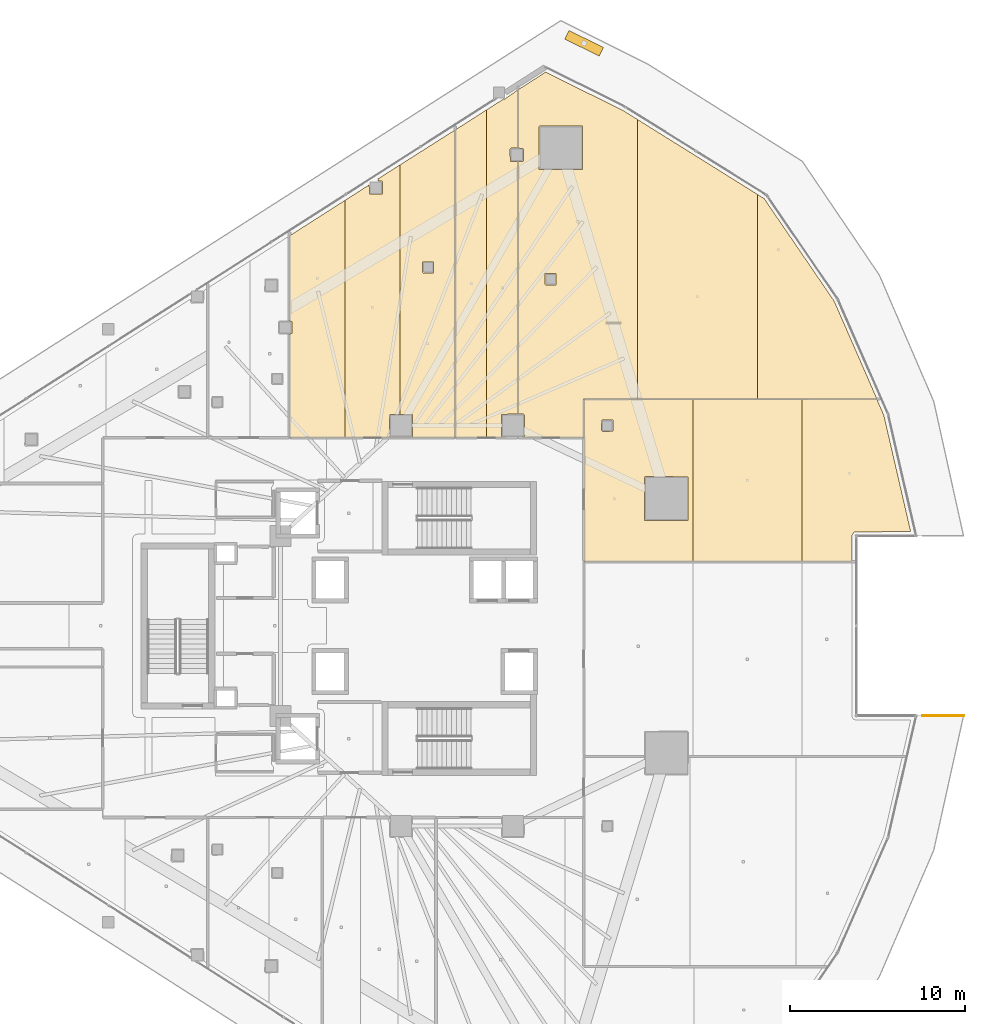
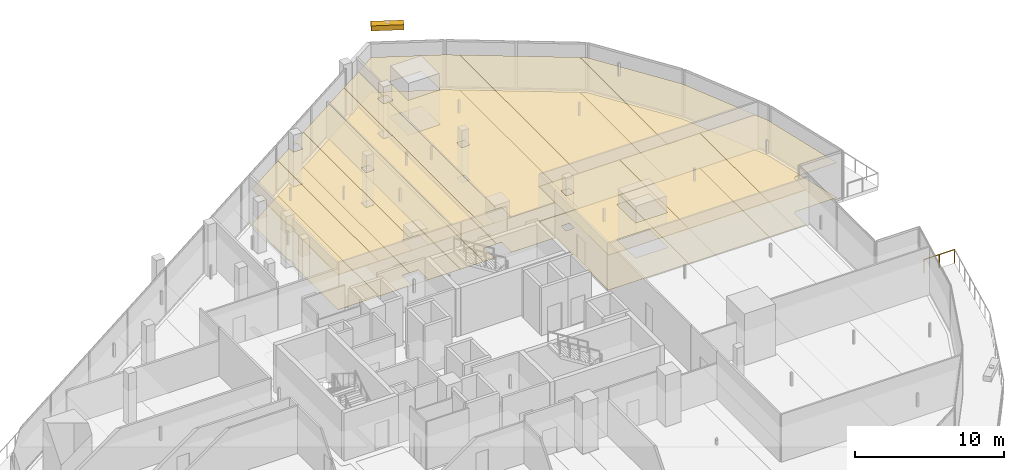
# One storey, part 46 of 46: 22 coverings, 1 railing, 1 shading device.
"""IFC4 building model written with IfcOpenShell, lengths in metres."""

from ifc_helpers import new_model, si_unit, direction, frame, origin, origin_2d, place, context, subcontext, project, spatial, polyline, rectangle, circle, outline, extrude, material, layer, layer_set, type_object, element, save


model = new_model("IFC4")

# Units and contexts
model_context = context("Model", 3, precision=1e-05, world=origin(), true_north=direction((0.0, 1.0)))
body_context = subcontext(model_context, "Body", "Model", "MODEL_VIEW")
ifc_project = project(units=[si_unit("LENGTHUNIT", "METRE"), si_unit("AREAUNIT", "SQUARE_METRE"), si_unit("VOLUMEUNIT", "CUBIC_METRE"), si_unit("PLANEANGLEUNIT", "RADIAN"), si_unit("MASSUNIT", "GRAM", prefix="KILO")], contexts=[model_context])

# Site, building, storey
site_placement = place(None, origin())
site = spatial("IfcSite", under=ifc_project, at=site_placement, CompositionType="ELEMENT")
building_placement = place(site_placement, origin())
building = spatial("IfcBuilding", under=site, at=building_placement, Name="Qorvath Tower", CompositionType="ELEMENT")
storey_placement = place(building_placement, frame((0.0, 0.0, 87.0)))
storey = spatial("IfcBuildingStorey", under=building, at=storey_placement, Name="L19", CompositionType="ELEMENT", Elevation=87.0)

# Coverings
ifc_material_1 = material(Name="Acoustic mineral fibre ceiling tile", Category="gypsum")
ifc_layer_1 = layer(ifc_material_1, 0.030029296875)
ifc_layer_set_1 = layer_set([ifc_layer_1], Name="COV-CEIL")
covering_type_1 = type_object("IfcCoveringType", Name="COV-CEIL", PredefinedType="CEILING", material=ifc_layer_set_1)
covering_1_placement = place(storey_placement, frame((0.0, 0.0, 2.85009765625)))
element("IfcCovering", 1, at=covering_1_placement, inside=storey, type_object=covering_type_1, Name="L19 Suspended Acoustic Ceiling 012", PredefinedType="CEILING", context=body_context, shape_type="SweptSolid", body=[
    extrude(outline(polyline([(-26.81201171875, 10.762939453125), (-26.81201171875, 24.32421875), (-29.9658203125, 22.308349609375), (-29.9658203125, 17.444580078125), (-29.83984375, 17.384521484375), (-29.83984375, 16.734619140625), (-29.9658203125, 16.674560546875), (-29.9658203125, 10.762939453125), (-26.81201171875, 10.762939453125)])), origin(), (0.0, 0.0, 1.0), 0.030029296875),
])
covering_2_placement = place(storey_placement, frame((0.0, 0.0, 2.85009765625)))
element("IfcCovering", 2, at=covering_2_placement, inside=storey, type_object=covering_type_1, Name="L19 Suspended Acoustic Ceiling 013", PredefinedType="CEILING", context=body_context, shape_type="SweptSolid", body=[
    extrude(outline(polyline([(-23.658203125, 10.762939453125), (-23.658203125, 10.797607421875), (-24.199951171875, 10.7900390625), (-24.260009765625, 10.85009765625), (-24.242431640625, 12.092529296875), (-23.658203125, 12.092529296875), (-23.658203125, 26.357421875), (-24.92578125, 25.553466796875), (-24.92578125, 25.44384765625), (-24.712646484375, 25.44384765625), (-24.652587890625, 25.3837890625), (-24.670166015625, 24.69140625), (-25.405029296875, 24.69140625), (-25.422607421875, 25.212158203125), (-26.81201171875, 24.32421875), (-26.81201171875, 10.762939453125), (-23.658203125, 10.762939453125)])), origin(), (0.0, 0.0, 1.0), 0.030029296875),
])
covering_3_placement = place(storey_placement, frame((0.0, 0.0, 2.85009765625)))
element("IfcCovering", 3, at=covering_3_placement, inside=storey, type_object=covering_type_1, Name="L19 Suspended Acoustic Ceiling 014", PredefinedType="CEILING", context=body_context, shape_type="SweptSolid", body=[
    extrude(outline(polyline([(-20.508544921875, 28.35546875), (-23.658203125, 26.357421875), (-23.658203125, 12.092529296875), (-22.95751953125, 12.092529296875), (-22.95751953125, 10.8076171875), (-23.658203125, 10.797607421875), (-23.658203125, 10.762939453125), (-20.504150390625, 10.762939453125), (-20.508544921875, 28.35546875)]), holes=[polyline([(-22.38818359375, 20.219970703125), (-22.37060546875, 20.812255859375), (-21.73583984375, 20.812255859375), (-21.73583984375, 20.177490234375), (-22.328125, 20.159912109375), (-22.38818359375, 20.219970703125)])]), origin(), (0.0, 0.0, 1.0), 0.030029296875),
])
covering_4_placement = place(storey_placement, frame((0.0, 0.0, 2.85009765625)))
element("IfcCovering", 4, at=covering_4_placement, inside=storey, type_object=covering_type_1, Name="L19 Suspended Acoustic Ceiling 015", PredefinedType="CEILING", context=body_context, shape_type="SweptSolid", body=[
    extrude(outline(polyline([(-18.7021484375, 10.762939453125), (-18.7021484375, 29.50732421875), (-20.49072265625, 28.3642578125), (-20.486328125, 10.762939453125), (-18.7021484375, 10.762939453125)])), origin(), (0.0, 0.0, 1.0), 0.030029296875),
])
covering_5_placement = place(storey_placement, frame((0.0, 0.0, 2.85009765625)))
element("IfcCovering", 5, at=covering_5_placement, inside=storey, type_object=covering_type_1, Name="L19 Suspended Acoustic Ceiling 016", PredefinedType="CEILING", context=body_context, shape_type="SweptSolid", body=[
    extrude(outline(polyline([(-17.675048828125, 30.114990234375), (-17.75146484375, 30.114990234375), (-18.7021484375, 29.50732421875), (-18.7021484375, 10.762939453125), (-16.923583984375, 10.762939453125), (-17.800048828125, 10.7900390625), (-17.860107421875, 10.85009765625), (-17.842529296875, 12.092529296875), (-16.923583984375, 12.110107421875), (-16.923583984375, 26.544189453125), (-17.3486328125, 26.561767578125), (-17.3662109375, 27.254150390625), (-17.30615234375, 27.314208984375), (-16.923583984375, 27.314208984375), (-16.923583984375, 30.64404296875), (-17.675048828125, 30.114990234375)])), origin(), (0.0, 0.0, 1.0), 0.030029296875),
])
covering_6_placement = place(storey_placement, frame((0.0, 0.0, 2.85009765625)))
element("IfcCovering", 6, at=covering_6_placement, inside=storey, type_object=covering_type_1, Name="L19 Suspended Acoustic Ceiling 017", PredefinedType="CEILING", context=body_context, shape_type="SweptSolid", body=[
    extrude(outline(polyline([(-13.153564453125, 12.96337890625), (-10.06640625, 12.9658203125), (-10.06640625, 28.945556640625), (-10.8984375, 29.465087890625), (-15.33349609375, 31.660400390625), (-16.90576171875, 30.655517578125), (-16.90576171875, 27.314208984375), (-16.61376953125, 27.296630859375), (-16.59619140625, 26.604248046875), (-16.65625, 26.544189453125), (-16.90576171875, 26.544189453125), (-16.90576171875, 12.110107421875), (-16.60009765625, 12.110107421875), (-16.5400390625, 12.050048828125), (-16.5400390625, 10.85009765625), (-16.60009765625, 10.7900390625), (-16.90576171875, 10.762939453125), (-13.155029296875, 10.762939453125), (-13.153564453125, 12.96337890625)]), holes=[polyline([(-15.724365234375, 28.53076171875), (-15.664306640625, 28.5908203125), (-13.221923828125, 28.5732421875), (-13.221923828125, 26.08837890625), (-15.706787109375, 26.08837890625), (-15.724365234375, 28.53076171875)]), polyline([(-15.381103515625, 19.543212890625), (-15.363525390625, 20.135498046875), (-14.728759765625, 20.135498046875), (-14.728759765625, 19.500732421875), (-15.321044921875, 19.483154296875), (-15.381103515625, 19.543212890625)])]), origin(), (0.0, 0.0, 1.0), 0.030029296875),
])
covering_7_placement = place(storey_placement, frame((0.0, 0.0, 2.85009765625)))
element("IfcCovering", 7, at=covering_7_placement, inside=storey, type_object=covering_type_1, Name="L19 Suspended Acoustic Ceiling 018", PredefinedType="CEILING", context=body_context, shape_type="SweptSolid", body=[
    extrude(outline(polyline([(-10.06640625, 28.945556640625), (-10.06640625, 12.9658203125), (-3.227294921875, 12.9716796875), (-3.227294921875, 24.67529296875), (-10.06640625, 28.945556640625)])), origin(), (0.0, 0.0, 1.0), 0.030029296875),
])
covering_8_placement = place(storey_placement, frame((0.0, 0.0, 2.85009765625)))
element("IfcCovering", 8, at=covering_8_placement, inside=storey, type_object=covering_type_1, Name="L19 Suspended Acoustic Ceiling 019", PredefinedType="CEILING", context=body_context, shape_type="SweptSolid", body=[
    extrude(outline(polyline([(-3.227294921875, 24.67529296875), (-3.227294921875, 12.9716796875), (3.61181640625, 12.977294921875), (1.166259765625, 18.572021484375), (-2.83740234375, 24.431884765625), (-3.227294921875, 24.67529296875)])), origin(), (0.0, 0.0, 1.0), 0.030029296875),
])
covering_9_placement = place(storey_placement, frame((0.0, 0.0, 2.85009765625)))
element("IfcCovering", 9, at=covering_9_placement, inside=storey, type_object=covering_type_1, Name="L19 Suspended Acoustic Ceiling 034", PredefinedType="CEILING", context=body_context, shape_type="SweptSolid", body=[
    extrude(outline(polyline([(-6.9111328125, 3.680908203125), (-6.9111328125, 12.951416015625), (-13.136962890625, 12.94677734375), (-13.136962890625, 3.680908203125), (-6.9111328125, 3.680908203125)]), holes=[polyline([(-9.690185546875, 8.476318359375), (-9.63037109375, 8.536376953125), (-7.18798828125, 8.518798828125), (-7.18798828125, 6.033935546875), (-9.672607421875, 6.033935546875), (-9.690185546875, 8.476318359375)]), polyline([(-12.135009765625, 11.175048828125), (-12.117431640625, 11.767333984375), (-11.482666015625, 11.767333984375), (-11.482666015625, 11.132568359375), (-12.074951171875, 11.114990234375), (-12.135009765625, 11.175048828125)])]), origin(), (0.0, 0.0, 1.0), 0.030029296875),
])
covering_10_placement = place(storey_placement, frame((0.0, 0.0, 2.85009765625)))
element("IfcCovering", 10, at=covering_10_placement, inside=storey, type_object=covering_type_1, Name="L19 Suspended Acoustic Ceiling 035", PredefinedType="CEILING", context=body_context, shape_type="SweptSolid", body=[
    extrude(outline(polyline([(-0.68505859375, 3.680908203125), (-0.68505859375, 12.9560546875), (-6.9111328125, 12.951416015625), (-6.9111328125, 3.680908203125), (-0.68505859375, 3.680908203125)])), origin(), (0.0, 0.0, 1.0), 0.030029296875),
])
covering_11_placement = place(storey_placement, frame((0.0, 0.0, 2.85009765625)))
element("IfcCovering", 11, at=covering_11_placement, inside=storey, type_object=covering_type_1, Name="L19 Suspended Acoustic Ceiling 036", PredefinedType="CEILING", context=body_context, shape_type="SweptSolid", body=[
    extrude(outline(polyline([(2.31201171875, 5.364013671875), (5.540771484375, 5.395751953125), (4.00634765625, 12.042724609375), (3.6044921875, 12.95947265625), (-0.68505859375, 12.9560546875), (-0.68505859375, 3.680908203125), (2.17919921875, 3.680908203125), (2.180419921875, 5.165283203125), (2.31201171875, 5.364013671875)])), origin(), (0.0, 0.0, 1.0), 0.030029296875),
])
ifc_material_2 = material(Name="Low-VOC modular carpet tile", Category="textile")
ifc_layer_2 = layer(ifc_material_2, 0.014892578125)
ifc_layer_set_2 = layer_set([ifc_layer_2], Name="COV-FLOOR-CPT")
covering_type_2 = type_object("IfcCoveringType", Name="COV-FLOOR-CPT", PredefinedType="FLOORING", material=ifc_layer_set_2)
covering_12_placement = place(storey_placement, origin())
element("IfcCovering", 12, at=covering_12_placement, inside=storey, type_object=covering_type_2, Name="L19 Floor Finish 012", PredefinedType="FLOORING", context=body_context, shape_type="SweptSolid", body=[
    extrude(outline(polyline([(-26.81201171875, 10.762939453125), (-26.81201171875, 24.32421875), (-29.9658203125, 22.308349609375), (-29.9658203125, 17.444580078125), (-29.83984375, 17.384521484375), (-29.83984375, 16.734619140625), (-29.9658203125, 16.674560546875), (-29.9658203125, 10.762939453125), (-26.81201171875, 10.762939453125)])), origin(), (0.0, 0.0, 1.0), 0.014892578125),
])
covering_13_placement = place(storey_placement, origin())
element("IfcCovering", 13, at=covering_13_placement, inside=storey, type_object=covering_type_2, Name="L19 Floor Finish 013", PredefinedType="FLOORING", context=body_context, shape_type="SweptSolid", body=[
    extrude(outline(polyline([(-23.658203125, 10.762939453125), (-23.658203125, 10.797607421875), (-24.199951171875, 10.7900390625), (-24.260009765625, 10.85009765625), (-24.242431640625, 12.092529296875), (-23.658203125, 12.092529296875), (-23.658203125, 26.357421875), (-24.92578125, 25.553466796875), (-24.92578125, 25.44384765625), (-24.712646484375, 25.44384765625), (-24.652587890625, 25.3837890625), (-24.670166015625, 24.69140625), (-25.405029296875, 24.69140625), (-25.422607421875, 25.212158203125), (-26.81201171875, 24.32421875), (-26.81201171875, 10.762939453125), (-23.658203125, 10.762939453125)])), origin(), (0.0, 0.0, 1.0), 0.014892578125),
])
covering_14_placement = place(storey_placement, origin())
element("IfcCovering", 14, at=covering_14_placement, inside=storey, type_object=covering_type_2, Name="L19 Floor Finish 014", PredefinedType="FLOORING", context=body_context, shape_type="SweptSolid", body=[
    extrude(outline(polyline([(-20.508544921875, 28.35546875), (-23.658203125, 26.357421875), (-23.658203125, 12.092529296875), (-22.95751953125, 12.092529296875), (-22.95751953125, 10.8076171875), (-23.658203125, 10.797607421875), (-23.658203125, 10.762939453125), (-20.504150390625, 10.762939453125), (-20.508544921875, 28.35546875)]), holes=[polyline([(-22.38818359375, 20.219970703125), (-22.37060546875, 20.812255859375), (-21.73583984375, 20.812255859375), (-21.73583984375, 20.177490234375), (-22.328125, 20.159912109375), (-22.38818359375, 20.219970703125)])]), origin(), (0.0, 0.0, 1.0), 0.014892578125),
])
covering_15_placement = place(storey_placement, origin())
element("IfcCovering", 15, at=covering_15_placement, inside=storey, type_object=covering_type_2, Name="L19 Floor Finish 015", PredefinedType="FLOORING", context=body_context, shape_type="SweptSolid", body=[
    extrude(outline(polyline([(-18.7021484375, 10.762939453125), (-18.7021484375, 29.50732421875), (-20.49072265625, 28.3642578125), (-20.486328125, 10.762939453125), (-18.7021484375, 10.762939453125)])), origin(), (0.0, 0.0, 1.0), 0.014892578125),
])
covering_16_placement = place(storey_placement, origin())
element("IfcCovering", 16, at=covering_16_placement, inside=storey, type_object=covering_type_2, Name="L19 Floor Finish 016", PredefinedType="FLOORING", context=body_context, shape_type="SweptSolid", body=[
    extrude(outline(polyline([(-17.675048828125, 30.114990234375), (-17.75146484375, 30.114990234375), (-18.7021484375, 29.50732421875), (-18.7021484375, 10.762939453125), (-16.923583984375, 10.762939453125), (-17.800048828125, 10.7900390625), (-17.860107421875, 10.85009765625), (-17.842529296875, 12.092529296875), (-16.923583984375, 12.110107421875), (-16.923583984375, 26.544189453125), (-17.3486328125, 26.561767578125), (-17.3662109375, 27.254150390625), (-17.30615234375, 27.314208984375), (-16.923583984375, 27.314208984375), (-16.923583984375, 30.64404296875), (-17.675048828125, 30.114990234375)])), origin(), (0.0, 0.0, 1.0), 0.014892578125),
])
covering_17_placement = place(storey_placement, origin())
element("IfcCovering", 17, at=covering_17_placement, inside=storey, type_object=covering_type_2, Name="L19 Floor Finish 017", PredefinedType="FLOORING", context=body_context, shape_type="SweptSolid", body=[
    extrude(outline(polyline([(-13.153564453125, 12.96337890625), (-10.06640625, 12.9658203125), (-10.06640625, 28.945556640625), (-10.8984375, 29.465087890625), (-15.33349609375, 31.660400390625), (-16.90576171875, 30.655517578125), (-16.90576171875, 27.314208984375), (-16.61376953125, 27.296630859375), (-16.59619140625, 26.604248046875), (-16.65625, 26.544189453125), (-16.90576171875, 26.544189453125), (-16.90576171875, 12.110107421875), (-16.60009765625, 12.110107421875), (-16.5400390625, 12.050048828125), (-16.5400390625, 10.85009765625), (-16.60009765625, 10.7900390625), (-16.90576171875, 10.762939453125), (-13.155029296875, 10.762939453125), (-13.153564453125, 12.96337890625)]), holes=[polyline([(-15.724365234375, 28.53076171875), (-15.664306640625, 28.5908203125), (-13.221923828125, 28.5732421875), (-13.221923828125, 26.08837890625), (-15.706787109375, 26.08837890625), (-15.724365234375, 28.53076171875)]), polyline([(-15.381103515625, 19.543212890625), (-15.363525390625, 20.135498046875), (-14.728759765625, 20.135498046875), (-14.728759765625, 19.500732421875), (-15.321044921875, 19.483154296875), (-15.381103515625, 19.543212890625)])]), origin(), (0.0, 0.0, 1.0), 0.014892578125),
])
covering_18_placement = place(storey_placement, origin())
element("IfcCovering", 18, at=covering_18_placement, inside=storey, type_object=covering_type_2, Name="L19 Floor Finish 018", PredefinedType="FLOORING", context=body_context, shape_type="SweptSolid", body=[
    extrude(outline(polyline([(-10.06640625, 28.945556640625), (-10.06640625, 12.9658203125), (-3.227294921875, 12.9716796875), (-3.227294921875, 24.67529296875), (-10.06640625, 28.945556640625)])), origin(), (0.0, 0.0, 1.0), 0.014892578125),
])
covering_19_placement = place(storey_placement, origin())
element("IfcCovering", 19, at=covering_19_placement, inside=storey, type_object=covering_type_2, Name="L19 Floor Finish 019", PredefinedType="FLOORING", context=body_context, shape_type="SweptSolid", body=[
    extrude(outline(polyline([(-3.227294921875, 24.67529296875), (-3.227294921875, 12.9716796875), (3.61181640625, 12.977294921875), (1.166259765625, 18.572021484375), (-2.83740234375, 24.431884765625), (-3.227294921875, 24.67529296875)])), origin(), (0.0, 0.0, 1.0), 0.014892578125),
])
covering_20_placement = place(storey_placement, origin())
element("IfcCovering", 20, at=covering_20_placement, inside=storey, type_object=covering_type_2, Name="L19 Floor Finish 034", PredefinedType="FLOORING", context=body_context, shape_type="SweptSolid", body=[
    extrude(outline(polyline([(-6.9111328125, 3.680908203125), (-6.9111328125, 12.951416015625), (-13.136962890625, 12.94677734375), (-13.136962890625, 3.680908203125), (-6.9111328125, 3.680908203125)]), holes=[polyline([(-9.690185546875, 8.476318359375), (-9.63037109375, 8.536376953125), (-7.18798828125, 8.518798828125), (-7.18798828125, 6.033935546875), (-9.672607421875, 6.033935546875), (-9.690185546875, 8.476318359375)]), polyline([(-12.135009765625, 11.175048828125), (-12.117431640625, 11.767333984375), (-11.482666015625, 11.767333984375), (-11.482666015625, 11.132568359375), (-12.074951171875, 11.114990234375), (-12.135009765625, 11.175048828125)])]), origin(), (0.0, 0.0, 1.0), 0.014892578125),
])
covering_21_placement = place(storey_placement, origin())
element("IfcCovering", 21, at=covering_21_placement, inside=storey, type_object=covering_type_2, Name="L19 Floor Finish 035", PredefinedType="FLOORING", context=body_context, shape_type="SweptSolid", body=[
    extrude(outline(polyline([(-0.68505859375, 3.680908203125), (-0.68505859375, 12.9560546875), (-6.9111328125, 12.951416015625), (-6.9111328125, 3.680908203125), (-0.68505859375, 3.680908203125)])), origin(), (0.0, 0.0, 1.0), 0.014892578125),
])
covering_22_placement = place(storey_placement, origin())
element("IfcCovering", 22, at=covering_22_placement, inside=storey, type_object=covering_type_2, Name="L19 Floor Finish 036", PredefinedType="FLOORING", context=body_context, shape_type="SweptSolid", body=[
    extrude(outline(polyline([(2.31201171875, 5.364013671875), (5.540771484375, 5.395751953125), (4.00634765625, 12.042724609375), (3.6044921875, 12.95947265625), (-0.68505859375, 12.9560546875), (-0.68505859375, 3.680908203125), (2.17919921875, 3.680908203125), (2.180419921875, 5.165283203125), (2.31201171875, 5.364013671875)])), origin(), (0.0, 0.0, 1.0), 0.014892578125),
])

# Railing
ifc_material_3 = material(Name="Laminated safety glass and stainless steel AISI 316", Category="steel")
railing_type = type_object("IfcRailingType", Name="RL-EXT-GRD", PredefinedType="GUARDRAIL", material=ifc_material_3)
railing_placement = place(storey_placement, frame((6.2109375, -5.140869140625, 0.0)))
element("IfcRailing", 23, at=railing_placement, inside=storey, type_object=railing_type, Name="Loggia Perimeter Guardrail L19-1.2", PredefinedType="GUARDRAIL", context=body_context, shape_type="SweptSolid", body=[
    extrude(circle(Radius=0.02392578125, at=origin_2d()), frame((0.0, 0.0, 1.09619140625), z_axis=(1.0, 0.0, 0.0), x_axis=(0.0, 1.0, 0.0)), (0.0, 0.0, 1.0), 2.366455078125),
    extrude(circle(Radius=0.02099609375, at=origin_2d()), origin(), (0.0, 0.0, 1.0), 1.072021484375),
    extrude(circle(Radius=0.02099609375, at=origin_2d()), frame((1.18310546875, 0.0, 0.0)), (0.0, 0.0, 1.0), 1.072021484375),
    extrude(circle(Radius=0.02099609375, at=origin_2d()), frame((2.366455078125, 0.0, 0.0)), (0.0, 0.0, 1.0), 1.072021484375),
])

# Shading device
ifc_material_4 = material(Name="Anodised bronze-champagne aluminium", Category="aluminium")
shading_device_type = type_object("IfcShadingDeviceType", Name="SD-LOUVRE", PredefinedType="JALOUSIE", material=ifc_material_4)
shading_device_placement = place(storey_placement, frame((-13.135498046875, 33.3125, 3.5), z_axis=(0.0, 0.0, 1.0), x_axis=(-0.896743017163, 0.442551648025, 0.0)))
element("IfcShadingDevice", 24, at=shading_device_placement, inside=storey, type_object=shading_device_type, Name="Sinusoidal Wave Louvre Blade L19-04", PredefinedType="NOTDEFINED", context=body_context, shape_type="SweptSolid", body=[
    extrude(rectangle(XDim=2.199951171875, YDim=0.550048828125, at=origin_2d()), origin(), (0.0, 0.0, 1.0), 0.419921875),
])

save(model, "model.ifc")
